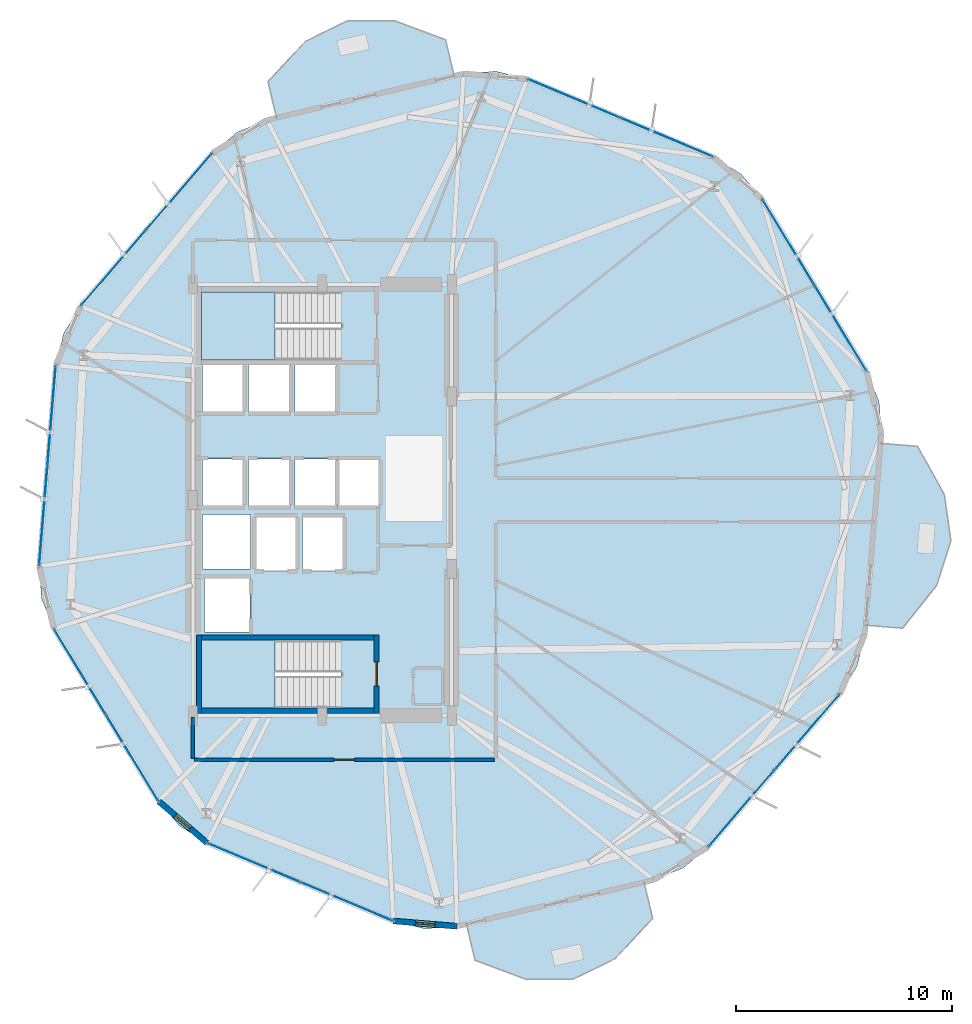
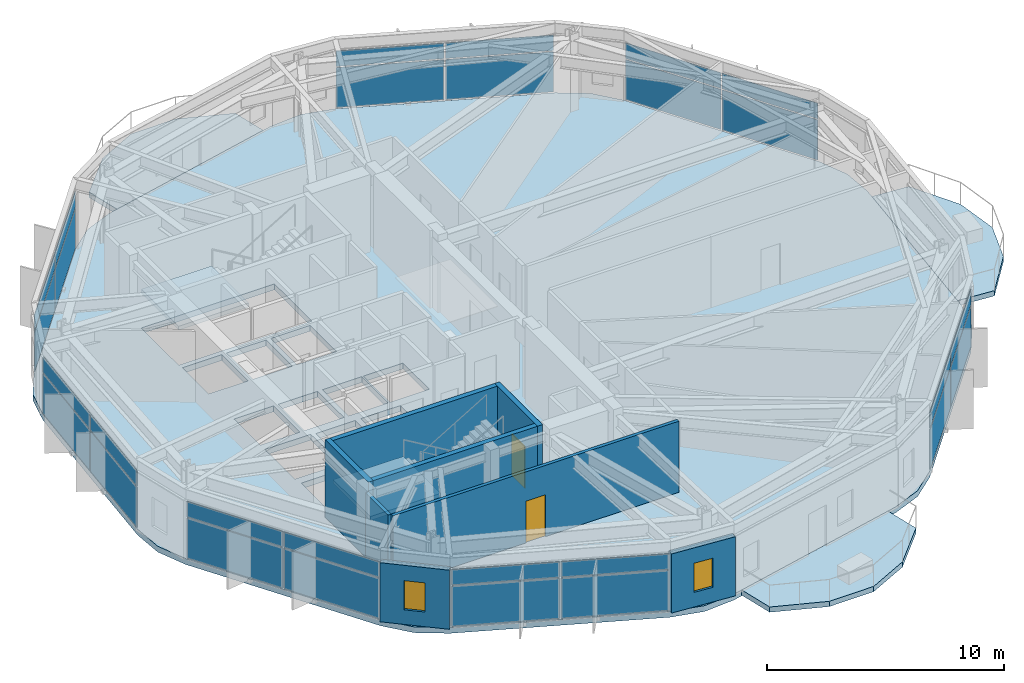
# One storey, part 15 of 21: 28 plates, 8 walls, 6 slabs, 2 doors, 2 windows, 4 openings, 9 elements without a shape of their own.
"""IFC4 building model written with IfcOpenShell, lengths in metres."""

from ifc_helpers import new_model, si_unit, direction, frame, frame_2d, origin, origin_2d, place, context, subcontext, project, spatial, polyline, rectangle, outline, extrude, material, layer, layer_set, type_object, element, fill, aggregate, save


model = new_model("IFC4")

# Units and contexts
model_context = context("Model", 3, precision=1e-05, world=origin(), true_north=direction((0.0, 1.0)))
body_context = subcontext(model_context, "Body", "Model", "MODEL_VIEW")
ifc_project = project(units=[si_unit("LENGTHUNIT", "METRE"), si_unit("AREAUNIT", "SQUARE_METRE"), si_unit("VOLUMEUNIT", "CUBIC_METRE"), si_unit("PLANEANGLEUNIT", "RADIAN"), si_unit("MASSUNIT", "GRAM", prefix="KILO")], contexts=[model_context])

# Site, building, storey
site_placement = place(None, origin())
site = spatial("IfcSite", under=ifc_project, at=site_placement, CompositionType="ELEMENT")
building_placement = place(site_placement, origin())
building = spatial("IfcBuilding", under=site, at=building_placement, Name="Soratama Intermodal Tower", CompositionType="ELEMENT")
storey_placement = place(building_placement, frame((0.0, 0.0, 78.60009765625)))
storey = spatial("IfcBuildingStorey", under=building, at=storey_placement, Name="L18", CompositionType="ELEMENT", Elevation=78.60009765625)

# Curtain wall, plates
ifc_material_1 = material(Name="Double-glazed aluminium curtain wall", Category="aluminium")
ifc_layer_1 = layer(ifc_material_1, 0.159912109375)
ifc_layer_set_1 = layer_set([ifc_layer_1], Name="Double-glazed aluminium curtain wall")
curtain_wall_type = type_object("IfcCurtainWallType", Name="CW-SYS-2", PredefinedType="NOTDEFINED", material=ifc_layer_set_1)
curtain_wall_1_placement = place(storey_placement, origin())
curtain_wall_1 = element("IfcCurtainWall", 1, at=curtain_wall_1_placement, inside=storey, type_object=curtain_wall_type, Name="L18 Faceted Curtain Wall F01", PredefinedType="NOTDEFINED")
ifc_material_2 = material(Name="Low-E laminated double glazing", Category="glass")
ifc_layer_2 = layer(ifc_material_2, 0.031982421875)
ifc_layer_set_2 = layer_set([ifc_layer_2], Name="Low-E laminated double glazing")
plate_type = type_object("IfcPlateType", Name="PT-CWP-2", PredefinedType="CURTAIN_PANEL", material=ifc_layer_set_2)
plate_1_placement = place(storey_placement, frame((62.624267578125, 32.978515625, 0.059814453125), z_axis=(0.0, 0.0, 1.0), x_axis=(-0.518923498414, 0.854820684585, 0.0)))
plate_1 = element("IfcPlate", 2, at=plate_1_placement, type_object=plate_type, Name="CW-2 panel 1.1", PredefinedType="CURTAIN_PANEL", context=body_context, shape_type="SweptSolid", body=[
    extrude(rectangle(XDim=4.5908203125, YDim=0.028076171875, at=origin_2d()), origin(), (0.0, 0.0, 1.0), 2.06005859375),
])
plate_2_placement = place(storey_placement, frame((62.624267578125, 32.978515625, 2.1796875), z_axis=(0.0, 0.0, 1.0), x_axis=(-0.518923498414, 0.854820684585, 0.0)))
plate_2 = element("IfcPlate", 3, at=plate_2_placement, type_object=plate_type, Name="CW-2 panel 1.2", PredefinedType="CURTAIN_PANEL", context=body_context, shape_type="SweptSolid", body=[
    extrude(rectangle(XDim=4.5908203125, YDim=0.028076171875, at=origin_2d()), origin(), (0.0, 0.0, 1.0), 0.799072265625),
])
plate_3_placement = place(storey_placement, frame((60.2109375, 36.9541015625, 0.059814453125), z_axis=(0.0, 0.0, 1.0), x_axis=(-0.518923498414, 0.854820684585, 0.0)))
plate_3 = element("IfcPlate", 4, at=plate_3_placement, type_object=plate_type, Name="CW-2 panel 2.1", PredefinedType="CURTAIN_PANEL", context=body_context, shape_type="SweptSolid", body=[
    extrude(rectangle(XDim=4.5908203125, YDim=0.028076171875, at=origin_2d()), origin(), (0.0, 0.0, 1.0), 2.06005859375),
])
plate_4_placement = place(storey_placement, frame((60.2109375, 36.9541015625, 2.1796875), z_axis=(0.0, 0.0, 1.0), x_axis=(-0.518923498414, 0.854820684585, 0.0)))
plate_4 = element("IfcPlate", 5, at=plate_4_placement, type_object=plate_type, Name="CW-2 panel 2.2", PredefinedType="CURTAIN_PANEL", context=body_context, shape_type="SweptSolid", body=[
    extrude(rectangle(XDim=4.5908203125, YDim=0.028076171875, at=origin_2d()), origin(), (0.0, 0.0, 1.0), 0.799072265625),
])
aggregate(curtain_wall_1, [plate_1, plate_2, plate_3, plate_4])

curtain_wall_2_placement = place(storey_placement, origin())
curtain_wall_2 = element("IfcCurtainWall", 6, at=curtain_wall_2_placement, inside=storey, type_object=curtain_wall_type, Name="L18 Faceted Curtain Wall F02", PredefinedType="NOTDEFINED")
plate_5_placement = place(storey_placement, frame((54.568603515625, 41.81396484375, 0.059814453125), z_axis=(0.0, 0.0, 1.0), x_axis=(-0.922267731134, 0.386551719837, 0.0)))
plate_5 = element("IfcPlate", 7, at=plate_5_placement, type_object=plate_type, Name="CW-2 panel 1.1", PredefinedType="CURTAIN_PANEL", context=body_context, shape_type="SweptSolid", body=[
    extrude(rectangle(XDim=4.5908203125, YDim=0.028076171875, at=origin_2d()), origin(), (0.0, 0.0, 1.0), 2.06005859375),
])
plate_6_placement = place(storey_placement, frame((54.568603515625, 41.81396484375, 2.1796875), z_axis=(0.0, 0.0, 1.0), x_axis=(-0.922267731134, 0.386551719837, 0.0)))
plate_6 = element("IfcPlate", 8, at=plate_6_placement, type_object=plate_type, Name="CW-2 panel 1.2", PredefinedType="CURTAIN_PANEL", context=body_context, shape_type="SweptSolid", body=[
    extrude(rectangle(XDim=4.5908203125, YDim=0.028076171875, at=origin_2d()), origin(), (0.0, 0.0, 1.0), 0.799072265625),
])
plate_7_placement = place(storey_placement, frame((50.279296875, 43.61181640625, 0.059814453125), z_axis=(0.0, 0.0, 1.0), x_axis=(-0.922267731134, 0.386551719837, 0.0)))
plate_7 = element("IfcPlate", 9, at=plate_7_placement, type_object=plate_type, Name="CW-2 panel 2.1", PredefinedType="CURTAIN_PANEL", context=body_context, shape_type="SweptSolid", body=[
    extrude(rectangle(XDim=4.5908203125, YDim=0.028076171875, at=origin_2d()), origin(), (0.0, 0.0, 1.0), 2.06005859375),
])
plate_8_placement = place(storey_placement, frame((50.279296875, 43.61181640625, 2.1796875), z_axis=(0.0, 0.0, 1.0), x_axis=(-0.922267731134, 0.386551719837, 0.0)))
plate_8 = element("IfcPlate", 10, at=plate_8_placement, type_object=plate_type, Name="CW-2 panel 2.2", PredefinedType="CURTAIN_PANEL", context=body_context, shape_type="SweptSolid", body=[
    extrude(rectangle(XDim=4.5908203125, YDim=0.028076171875, at=origin_2d()), origin(), (0.0, 0.0, 1.0), 0.799072265625),
])
aggregate(curtain_wall_2, [plate_5, plate_6, plate_7, plate_8])

curtain_wall_3_placement = place(storey_placement, origin())
curtain_wall_3 = element("IfcCurtainWall", 11, at=curtain_wall_3_placement, inside=storey, type_object=curtain_wall_type, Name="L18 Faceted Curtain Wall F04", PredefinedType="NOTDEFINED")
plate_9_placement = place(storey_placement, frame((31.9658203125, 39.296142578125, 0.059814453125), z_axis=(0.0, 0.0, 1.0), x_axis=(-0.652628938142, -0.757677681537, 0.0)))
plate_9 = element("IfcPlate", 12, at=plate_9_placement, type_object=plate_type, Name="CW-2 panel 1.1", PredefinedType="CURTAIN_PANEL", context=body_context, shape_type="SweptSolid", body=[
    extrude(rectangle(XDim=4.590576171875, YDim=0.028076171875, at=origin_2d()), origin(), (0.0, 0.0, 1.0), 2.06005859375),
])
plate_10_placement = place(storey_placement, frame((31.9658203125, 39.296142578125, 2.1796875), z_axis=(0.0, 0.0, 1.0), x_axis=(-0.652628938142, -0.757677681537, 0.0)))
plate_10 = element("IfcPlate", 13, at=plate_10_placement, type_object=plate_type, Name="CW-2 panel 1.2", PredefinedType="CURTAIN_PANEL", context=body_context, shape_type="SweptSolid", body=[
    extrude(rectangle(XDim=4.590576171875, YDim=0.028076171875, at=origin_2d()), origin(), (0.0, 0.0, 1.0), 0.799072265625),
])
plate_11_placement = place(storey_placement, frame((28.9306640625, 35.7724609375, 0.059814453125), z_axis=(0.0, 0.0, 1.0), x_axis=(-0.652628938142, -0.757677681537, 0.0)))
plate_11 = element("IfcPlate", 14, at=plate_11_placement, type_object=plate_type, Name="CW-2 panel 2.1", PredefinedType="CURTAIN_PANEL", context=body_context, shape_type="SweptSolid", body=[
    extrude(rectangle(XDim=4.590576171875, YDim=0.028076171875, at=origin_2d()), origin(), (0.0, 0.0, 1.0), 2.06005859375),
])
plate_12_placement = place(storey_placement, frame((28.9306640625, 35.7724609375, 2.1796875), z_axis=(0.0, 0.0, 1.0), x_axis=(-0.652628938142, -0.757677681537, 0.0)))
plate_12 = element("IfcPlate", 15, at=plate_12_placement, type_object=plate_type, Name="CW-2 panel 2.2", PredefinedType="CURTAIN_PANEL", context=body_context, shape_type="SweptSolid", body=[
    extrude(rectangle(XDim=4.590576171875, YDim=0.028076171875, at=origin_2d()), origin(), (0.0, 0.0, 1.0), 0.799072265625),
])
aggregate(curtain_wall_3, [plate_9, plate_10, plate_11, plate_12])

curtain_wall_4_placement = place(storey_placement, origin())
curtain_wall_4 = element("IfcCurtainWall", 16, at=curtain_wall_4_placement, inside=storey, type_object=curtain_wall_type, Name="L18 Faceted Curtain Wall F05", PredefinedType="NOTDEFINED")
plate_13_placement = place(storey_placement, frame((26.052001953125, 28.904541015625, 0.059814453125), z_axis=(0.0, 0.0, 1.0), x_axis=(-0.082625557919, -0.996580662655, 0.0)))
plate_13 = element("IfcPlate", 17, at=plate_13_placement, type_object=plate_type, Name="CW-2 panel 1.1", PredefinedType="CURTAIN_PANEL", context=body_context, shape_type="SweptSolid", body=[
    extrude(rectangle(XDim=4.5908203125, YDim=0.028076171875, at=origin_2d()), origin(), (0.0, 0.0, 1.0), 2.06005859375),
])
plate_14_placement = place(storey_placement, frame((26.052001953125, 28.904541015625, 2.1796875), z_axis=(0.0, 0.0, 1.0), x_axis=(-0.082625557919, -0.996580662655, 0.0)))
plate_14 = element("IfcPlate", 18, at=plate_14_placement, type_object=plate_type, Name="CW-2 panel 1.2", PredefinedType="CURTAIN_PANEL", context=body_context, shape_type="SweptSolid", body=[
    extrude(rectangle(XDim=4.5908203125, YDim=0.028076171875, at=origin_2d()), origin(), (0.0, 0.0, 1.0), 0.799072265625),
])
plate_15_placement = place(storey_placement, frame((25.667724609375, 24.26953125, 0.059814453125), z_axis=(0.0, 0.0, 1.0), x_axis=(-0.082625557919, -0.996580662655, 0.0)))
plate_15 = element("IfcPlate", 19, at=plate_15_placement, type_object=plate_type, Name="CW-2 panel 2.1", PredefinedType="CURTAIN_PANEL", context=body_context, shape_type="SweptSolid", body=[
    extrude(rectangle(XDim=4.5908203125, YDim=0.028076171875, at=origin_2d()), origin(), (0.0, 0.0, 1.0), 2.06005859375),
])
plate_16_placement = place(storey_placement, frame((25.667724609375, 24.26953125, 2.1796875), z_axis=(0.0, 0.0, 1.0), x_axis=(-0.082625557919, -0.996580662655, 0.0)))
plate_16 = element("IfcPlate", 20, at=plate_16_placement, type_object=plate_type, Name="CW-2 panel 2.2", PredefinedType="CURTAIN_PANEL", context=body_context, shape_type="SweptSolid", body=[
    extrude(rectangle(XDim=4.5908203125, YDim=0.028076171875, at=origin_2d()), origin(), (0.0, 0.0, 1.0), 0.799072265625),
])
aggregate(curtain_wall_4, [plate_13, plate_14, plate_15, plate_16])

curtain_wall_5_placement = place(storey_placement, origin())
curtain_wall_5 = element("IfcCurtainWall", 21, at=curtain_wall_5_placement, inside=storey, type_object=curtain_wall_type, Name="L18 Faceted Curtain Wall F06", PredefinedType="NOTDEFINED")
plate_17_placement = place(storey_placement, frame((27.375732421875, 17.021484375, 0.059814453125), z_axis=(0.0, 0.0, 1.0), x_axis=(0.518923498414, -0.854820684585, 0.0)))
plate_17 = element("IfcPlate", 22, at=plate_17_placement, type_object=plate_type, Name="CW-2 panel 1.1", PredefinedType="CURTAIN_PANEL", context=body_context, shape_type="SweptSolid", body=[
    extrude(rectangle(XDim=4.5908203125, YDim=0.028076171875, at=origin_2d()), origin(), (0.0, 0.0, 1.0), 2.06005859375),
])
plate_18_placement = place(storey_placement, frame((27.375732421875, 17.021484375, 2.1796875), z_axis=(0.0, 0.0, 1.0), x_axis=(0.518923498414, -0.854820684585, 0.0)))
plate_18 = element("IfcPlate", 23, at=plate_18_placement, type_object=plate_type, Name="CW-2 panel 1.2", PredefinedType="CURTAIN_PANEL", context=body_context, shape_type="SweptSolid", body=[
    extrude(rectangle(XDim=4.5908203125, YDim=0.028076171875, at=origin_2d()), origin(), (0.0, 0.0, 1.0), 0.799072265625),
])
plate_19_placement = place(storey_placement, frame((29.7890625, 13.0458984375, 0.059814453125), z_axis=(0.0, 0.0, 1.0), x_axis=(0.518923498414, -0.854820684585, 0.0)))
plate_19 = element("IfcPlate", 24, at=plate_19_placement, type_object=plate_type, Name="CW-2 panel 2.1", PredefinedType="CURTAIN_PANEL", context=body_context, shape_type="SweptSolid", body=[
    extrude(rectangle(XDim=4.5908203125, YDim=0.028076171875, at=origin_2d()), origin(), (0.0, 0.0, 1.0), 2.06005859375),
])
plate_20_placement = place(storey_placement, frame((29.7890625, 13.0458984375, 2.1796875), z_axis=(0.0, 0.0, 1.0), x_axis=(0.518923498414, -0.854820684585, 0.0)))
plate_20 = element("IfcPlate", 25, at=plate_20_placement, type_object=plate_type, Name="CW-2 panel 2.2", PredefinedType="CURTAIN_PANEL", context=body_context, shape_type="SweptSolid", body=[
    extrude(rectangle(XDim=4.5908203125, YDim=0.028076171875, at=origin_2d()), origin(), (0.0, 0.0, 1.0), 0.799072265625),
])
aggregate(curtain_wall_5, [plate_17, plate_18, plate_19, plate_20])

curtain_wall_6_placement = place(storey_placement, origin())
curtain_wall_6 = element("IfcCurtainWall", 26, at=curtain_wall_6_placement, inside=storey, type_object=curtain_wall_type, Name="L18 Faceted Curtain Wall F07", PredefinedType="NOTDEFINED")
plate_21_placement = place(storey_placement, frame((35.431396484375, 8.18603515625, 0.059814453125), z_axis=(0.0, 0.0, 1.0), x_axis=(0.922267731134, -0.386551719837, 0.0)))
plate_21 = element("IfcPlate", 27, at=plate_21_placement, type_object=plate_type, Name="CW-2 panel 1.1", PredefinedType="CURTAIN_PANEL", context=body_context, shape_type="SweptSolid", body=[
    extrude(rectangle(XDim=4.5908203125, YDim=0.028076171875, at=origin_2d()), origin(), (0.0, 0.0, 1.0), 2.06005859375),
])
plate_22_placement = place(storey_placement, frame((35.431396484375, 8.18603515625, 2.1796875), z_axis=(0.0, 0.0, 1.0), x_axis=(0.922267731134, -0.386551719837, 0.0)))
plate_22 = element("IfcPlate", 28, at=plate_22_placement, type_object=plate_type, Name="CW-2 panel 1.2", PredefinedType="CURTAIN_PANEL", context=body_context, shape_type="SweptSolid", body=[
    extrude(rectangle(XDim=4.5908203125, YDim=0.028076171875, at=origin_2d()), origin(), (0.0, 0.0, 1.0), 0.799072265625),
])
plate_23_placement = place(storey_placement, frame((39.720703125, 6.38818359375, 0.059814453125), z_axis=(0.0, 0.0, 1.0), x_axis=(0.922267731134, -0.386551719837, 0.0)))
plate_23 = element("IfcPlate", 29, at=plate_23_placement, type_object=plate_type, Name="CW-2 panel 2.1", PredefinedType="CURTAIN_PANEL", context=body_context, shape_type="SweptSolid", body=[
    extrude(rectangle(XDim=4.5908203125, YDim=0.028076171875, at=origin_2d()), origin(), (0.0, 0.0, 1.0), 2.06005859375),
])
plate_24_placement = place(storey_placement, frame((39.720703125, 6.38818359375, 2.1796875), z_axis=(0.0, 0.0, 1.0), x_axis=(0.922267731134, -0.386551719837, 0.0)))
plate_24 = element("IfcPlate", 30, at=plate_24_placement, type_object=plate_type, Name="CW-2 panel 2.2", PredefinedType="CURTAIN_PANEL", context=body_context, shape_type="SweptSolid", body=[
    extrude(rectangle(XDim=4.5908203125, YDim=0.028076171875, at=origin_2d()), origin(), (0.0, 0.0, 1.0), 0.799072265625),
])
aggregate(curtain_wall_6, [plate_21, plate_22, plate_23, plate_24])

curtain_wall_7_placement = place(storey_placement, origin())
curtain_wall_7 = element("IfcCurtainWall", 31, at=curtain_wall_7_placement, inside=storey, type_object=curtain_wall_type, Name="L18 Faceted Curtain Wall F09", PredefinedType="NOTDEFINED")
plate_25_placement = place(storey_placement, frame((58.0341796875, 10.703857421875, 0.059814453125), z_axis=(0.0, 0.0, 1.0), x_axis=(0.652628938142, 0.757677681537, 0.0)))
plate_25 = element("IfcPlate", 32, at=plate_25_placement, type_object=plate_type, Name="CW-2 panel 1.1", PredefinedType="CURTAIN_PANEL", context=body_context, shape_type="SweptSolid", body=[
    extrude(rectangle(XDim=4.590576171875, YDim=0.028076171875, at=origin_2d()), origin(), (0.0, 0.0, 1.0), 2.06005859375),
])
plate_26_placement = place(storey_placement, frame((58.0341796875, 10.703857421875, 2.1796875), z_axis=(0.0, 0.0, 1.0), x_axis=(0.652628938142, 0.757677681537, 0.0)))
plate_26 = element("IfcPlate", 33, at=plate_26_placement, type_object=plate_type, Name="CW-2 panel 1.2", PredefinedType="CURTAIN_PANEL", context=body_context, shape_type="SweptSolid", body=[
    extrude(rectangle(XDim=4.590576171875, YDim=0.028076171875, at=origin_2d()), origin(), (0.0, 0.0, 1.0), 0.799072265625),
])
plate_27_placement = place(storey_placement, frame((61.0693359375, 14.2275390625, 0.059814453125), z_axis=(0.0, 0.0, 1.0), x_axis=(0.652628938142, 0.757677681537, 0.0)))
plate_27 = element("IfcPlate", 34, at=plate_27_placement, type_object=plate_type, Name="CW-2 panel 2.1", PredefinedType="CURTAIN_PANEL", context=body_context, shape_type="SweptSolid", body=[
    extrude(rectangle(XDim=4.590576171875, YDim=0.028076171875, at=origin_2d()), origin(), (0.0, 0.0, 1.0), 2.06005859375),
])
plate_28_placement = place(storey_placement, frame((61.0693359375, 14.2275390625, 2.1796875), z_axis=(0.0, 0.0, 1.0), x_axis=(0.652628938142, 0.757677681537, 0.0)))
plate_28 = element("IfcPlate", 35, at=plate_28_placement, type_object=plate_type, Name="CW-2 panel 2.2", PredefinedType="CURTAIN_PANEL", context=body_context, shape_type="SweptSolid", body=[
    extrude(rectangle(XDim=4.590576171875, YDim=0.028076171875, at=origin_2d()), origin(), (0.0, 0.0, 1.0), 0.799072265625),
])
aggregate(curtain_wall_7, [plate_25, plate_26, plate_27, plate_28])

# Slabs
ifc_material_3 = material(Name="Concrete f'c 42 MPa", Category="concrete")
ifc_layer_3 = layer(ifc_material_3, 0.27001953125)
ifc_layer_set_3 = layer_set([ifc_layer_3], Name="Concrete f'c 42 MPa")
slab_type_1 = type_object("IfcSlabType", Name="SL-EXT-BAL1", PredefinedType="FLOOR", material=ifc_layer_set_3)
slab_1_placement = place(storey_placement, frame((0.0, 0.0, -0.27001953125)))
element("IfcSlab", 36, at=slab_1_placement, inside=storey, type_object=slab_type_1, Name="L18 Planted Balcony East 1", PredefinedType="FLOOR", context=body_context, shape_type="SweptSolid", body=[
    extrude(outline(polyline([(63.79052734375, 19.19677734375), (64.48974609375, 27.629150390625), (66.203857421875, 27.487060546875), (67.439453125, 25.261962890625), (67.747802734375, 23.11376953125), (67.08984375, 21.0458984375), (65.504638671875, 19.054443359375), (63.79052734375, 19.19677734375)])), origin(), (0.0, 0.0, 1.0), 0.27001953125),
])
slab_2_placement = place(storey_placement, frame((0.0, 0.0, -0.27001953125)))
element("IfcSlab", 37, at=slab_2_placement, inside=storey, type_object=slab_type_1, Name="L18 Planted Balcony North 2", PredefinedType="FLOOR", context=body_context, shape_type="SweptSolid", body=[
    extrude(outline(polyline([(44.712646484375, 44.664306640625), (36.476806640625, 42.723388671875), (36.082275390625, 44.397705078125), (37.816650390625, 46.26025390625), (39.764404296875, 47.21728515625), (41.9345703125, 47.230712890625), (44.318115234375, 46.33837890625), (44.712646484375, 44.664306640625)])), origin(), (0.0, 0.0, 1.0), 0.27001953125),
])
slab_3_placement = place(storey_placement, frame((0.0, 0.0, -0.27001953125)))
element("IfcSlab", 38, at=slab_3_placement, inside=storey, type_object=slab_type_1, Name="L18 Planted Balcony South 3", PredefinedType="FLOOR", context=body_context, shape_type="SweptSolid", body=[
    extrude(outline(polyline([(45.287353515625, 5.335693359375), (53.523193359375, 7.276611328125), (53.917724609375, 5.602294921875), (52.183349609375, 3.73974609375), (50.235595703125, 2.78271484375), (48.0654296875, 2.769287109375), (45.681884765625, 3.66162109375), (45.287353515625, 5.335693359375)])), origin(), (0.0, 0.0, 1.0), 0.27001953125),
])

# Stair, slab
ifc_material_4 = material(Name="Concrete f'c 42 MPa", Category="concrete")
stair_type = type_object("IfcStairType", Name="ST-CORE-DOGLEG", PredefinedType="HALF_TURN_STAIR", material=ifc_material_4)
stair_1_placement = place(storey_placement, origin())
stair_1 = element("IfcStair", 39, at=stair_1_placement, inside=storey, type_object=stair_type, Name="L18 ST-1", PredefinedType="HALF_TURN_STAIR")
ifc_material_5 = material(Name="Concrete f'c 42 MPa", Category="concrete")
ifc_layer_4 = layer(ifc_material_5, 0.219970703125)
ifc_layer_set_4 = layer_set([ifc_layer_4], Name="Concrete f'c 42 MPa")
slab_type_2 = type_object("IfcSlabType", Name="SL-STAIR-LAND", PredefinedType="LANDING", material=ifc_layer_set_4)
slab_4_placement = place(storey_placement, frame((0.0, 0.0, 1.7998046875)))
slab_4 = element("IfcSlab", 40, at=slab_4_placement, type_object=slab_type_2, Name="ST-1 landing 1", PredefinedType="LANDING", context=body_context, shape_type="SweptSolid", body=[
    extrude(outline(polyline([(36.419921875, 18.5), (33.0, 18.5), (33.0, 15.35009765625), (36.419921875, 15.35009765625), (36.419921875, 18.5)])), origin(), (0.0, 0.0, 1.0), 0.2001953125),
])
aggregate(stair_1, [slab_4])

stair_2_placement = place(storey_placement, origin())
stair_2 = element("IfcStair", 41, at=stair_2_placement, inside=storey, type_object=stair_type, Name="L18 ST-2", PredefinedType="HALF_TURN_STAIR")
slab_5_placement = place(storey_placement, frame((0.0, 0.0, 1.7998046875)))
slab_5 = element("IfcSlab", 42, at=slab_5_placement, type_object=slab_type_2, Name="ST-2 landing 1", PredefinedType="LANDING", context=body_context, shape_type="SweptSolid", body=[
    extrude(outline(polyline([(36.419921875, 34.64990234375), (33.0, 34.64990234375), (33.0, 31.5), (36.419921875, 31.5), (36.419921875, 34.64990234375)])), origin(), (0.0, 0.0, 1.0), 0.2001953125),
])
aggregate(stair_2, [slab_5])

# Slab
ifc_material_6 = material(Name="Concrete f'c 42 MPa", Category="concrete")
ifc_layer_5 = layer(ifc_material_6, 0.280029296875)
ifc_layer_set_5 = layer_set([ifc_layer_5], Name="Concrete f'c 42 MPa")
slab_type_3 = type_object("IfcSlabType", Name="SL-TWR-280", PredefinedType="FLOOR", material=ifc_layer_set_5)
slab_6_placement = place(storey_placement, frame((0.0, 0.0, -0.300048828125)))
element("IfcSlab", 43, at=slab_6_placement, inside=storey, type_object=slab_type_3, Name="L18 Structural Floor Slab", PredefinedType="FLOOR", context=body_context, shape_type="SweptSolid", body=[
    extrude(outline(polyline([(64.52685546875, 28.07763671875), (64.415283203125, 29.5751953125), (63.846435546875, 30.965087890625), (58.988525390625, 38.967529296875), (58.01806640625, 40.113525390625), (56.740966796875, 40.903564453125), (48.107177734375, 44.522216796875), (46.648193359375, 44.87890625), (45.150634765625, 44.767333984375), (36.038818359375, 42.6201171875), (34.64892578125, 42.05126953125), (33.5029296875, 41.080810546875), (27.393310546875, 33.98779296875), (26.603271484375, 32.710693359375), (26.24658203125, 31.251708984375), (25.47314453125, 21.92236328125), (25.584716796875, 20.4248046875), (26.153564453125, 19.034912109375), (31.011474609375, 11.032470703125), (31.98193359375, 9.886474609375), (33.259033203125, 9.096435546875), (41.892822265625, 5.477783203125), (43.351806640625, 5.12109375), (44.849365234375, 5.232666015625), (53.961181640625, 7.3798828125), (55.35107421875, 7.94873046875), (56.4970703125, 8.919189453125), (62.606689453125, 16.01220703125), (63.396728515625, 17.289306640625), (63.75341796875, 18.748291015625), (64.52685546875, 28.07763671875)]), holes=[polyline([(33.0, 18.5), (33.0, 15.35009765625), (39.47509765625, 15.35009765625), (39.47509765625, 18.5), (33.0, 18.5)]), polyline([(35.260009765625, 18.889892578125), (35.260009765625, 21.409912109375), (33.139892578125, 21.409912109375), (33.139892578125, 18.889892578125), (35.260009765625, 18.889892578125)]), polyline([(33.050048828125, 21.800048828125), (35.280029296875, 21.800048828125), (35.280029296875, 24.320068359375), (33.050048828125, 24.320068359375), (33.050048828125, 21.800048828125)]), polyline([(34.9599609375, 26.909912109375), (33.0400390625, 26.909912109375), (33.0400390625, 24.68994140625), (34.9599609375, 24.68994140625), (34.9599609375, 26.909912109375)]), polyline([(37.110107421875, 24.68994140625), (37.110107421875, 26.909912109375), (35.18994140625, 26.909912109375), (35.18994140625, 24.68994140625), (37.110107421875, 24.68994140625)]), polyline([(34.9599609375, 29.0400390625), (34.9599609375, 31.260009765625), (33.0400390625, 31.260009765625), (33.0400390625, 29.0400390625), (34.9599609375, 29.0400390625)]), polyline([(37.110107421875, 31.260009765625), (35.18994140625, 31.260009765625), (35.18994140625, 29.0400390625), (37.110107421875, 29.0400390625), (37.110107421875, 31.260009765625)]), polyline([(37.409912109375, 21.739990234375), (37.409912109375, 24.260009765625), (35.489990234375, 24.260009765625), (35.489990234375, 21.739990234375), (37.409912109375, 21.739990234375)]), polyline([(39.610107421875, 21.739990234375), (39.610107421875, 24.260009765625), (37.68994140625, 24.260009765625), (37.68994140625, 21.739990234375), (39.610107421875, 21.739990234375)]), polyline([(39.260009765625, 24.68994140625), (39.260009765625, 26.909912109375), (37.340087890625, 26.909912109375), (37.340087890625, 24.68994140625), (39.260009765625, 24.68994140625)]), polyline([(41.260009765625, 24.68994140625), (41.260009765625, 26.909912109375), (39.340087890625, 26.909912109375), (39.340087890625, 24.68994140625), (41.260009765625, 24.68994140625)]), polyline([(39.260009765625, 29.0400390625), (39.260009765625, 31.260009765625), (37.340087890625, 31.260009765625), (37.340087890625, 29.0400390625), (39.260009765625, 29.0400390625)]), polyline([(39.47509765625, 34.64990234375), (33.0, 34.64990234375), (33.0, 31.5), (39.47509765625, 31.5), (39.47509765625, 34.64990234375)])]), origin(), (0.0, 0.0, 1.0), 0.300048828125),
])

# Wall, opening, window
ifc_material_7 = material(Name="Concrete f'c 42 MPa", Category="concrete")
ifc_layer_6 = layer(ifc_material_7, 0.27001953125)
ifc_layer_set_6 = layer_set([ifc_layer_6], Name="Concrete f'c 42 MPa")
wall_type_1 = type_object("IfcWallType", Name="EW-CRN-270", PredefinedType="SOLIDWALL", material=ifc_layer_set_6)
wall_1_placement = place(storey_placement, frame((31.011474609375, 11.032470703125, 0.0), z_axis=(0.0, 0.0, 1.0), x_axis=(0.757662534015, -0.652646523434, 0.0)))
wall_1 = element("IfcWall", 44, at=wall_1_placement, inside=storey, type_object=wall_type_1, Name="L18 Corner Closure Wall 06", PredefinedType="SOLIDWALL", context=body_context, shape_type="SweptSolid", body=[
    extrude(rectangle(XDim=2.966552734375, YDim=0.27001953125, at=frame_2d((1.4833984375, 0.0))), origin(), (0.0, 0.0, 1.0), 3.038818359375),
])
opening_1_placement = place(wall_1_placement, frame((1.033203125, 0.0, 0.75)))
opening_1 = element("IfcOpeningElement", 45, at=opening_1_placement, cuts=wall_1, Name="Opening WN-6", PredefinedType="OPENING", context=body_context, shape_type="SweptSolid", body=[
    extrude(rectangle(XDim=0.89990234375, YDim=1.5, at=frame_2d((0.449951171875, 0.75))), frame((0.0, 0.14501953125, 0.0), z_axis=(0.0, -1.0, 0.0), x_axis=(1.0, 0.0, 0.0)), (0.0, 0.0, 1.0), 0.2900390625),
])
ifc_material_8 = material(Name="Double-glazed aluminium window", Category="aluminium")
window_type = type_object("IfcWindowType", Name="WN-FAC-900", PartitioningType="SINGLE_PANEL", PredefinedType="WINDOW", material=ifc_material_8)
window_1_placement = place(opening_1_placement, origin())
window_1 = element("IfcWindow", 46, at=window_1_placement, inside=storey, type_object=window_type, Name="L18 Corner Window 06", OverallHeight=1.5, OverallWidth=0.89990234375, PartitioningType="SINGLE_PANEL", PredefinedType="WINDOW", context=body_context, shape_type="SweptSolid", body=[
    extrude(rectangle(XDim=0.89990234375, YDim=1.5, at=frame_2d((0.449951171875, 0.75))), frame((0.0, 0.030029296875, 0.0), z_axis=(0.0, -1.0, 0.0), x_axis=(1.0, 0.0, 0.0)), (0.0, 0.0, 1.0), 0.06005859375),
])
fill(opening_1, window_1)

wall_2_placement = place(storey_placement, frame((41.892822265625, 5.477783203125, 0.0), z_axis=(0.0, 0.0, 1.0), x_axis=(0.996580856584, -0.082623218828, 0.0)))
wall_2 = element("IfcWall", 47, at=wall_2_placement, inside=storey, type_object=wall_type_1, Name="L18 Corner Closure Wall 07", PredefinedType="SOLIDWALL", context=body_context, shape_type="SweptSolid", body=[
    extrude(rectangle(XDim=2.966796875, YDim=0.27001953125, at=frame_2d((1.4833984375, 0.0))), origin(), (0.0, 0.0, 1.0), 3.038818359375),
])
opening_2_placement = place(wall_2_placement, frame((1.033203125, 0.0, 0.75)))
opening_2 = element("IfcOpeningElement", 48, at=opening_2_placement, cuts=wall_2, Name="Opening WN-6", PredefinedType="OPENING", context=body_context, shape_type="SweptSolid", body=[
    extrude(rectangle(XDim=0.89990234375, YDim=1.5, at=frame_2d((0.449951171875, 0.75))), frame((0.0, 0.14501953125, 0.0), z_axis=(0.0, -1.0, 0.0), x_axis=(1.0, 0.0, 0.0)), (0.0, 0.0, 1.0), 0.2900390625),
])
window_2_placement = place(opening_2_placement, origin())
window_2 = element("IfcWindow", 49, at=window_2_placement, inside=storey, type_object=window_type, Name="L18 Corner Window 07", OverallHeight=1.5, OverallWidth=0.89990234375, PartitioningType="SINGLE_PANEL", PredefinedType="WINDOW", context=body_context, shape_type="SweptSolid", body=[
    extrude(rectangle(XDim=0.89990234375, YDim=1.5, at=frame_2d((0.449951171875, 0.75))), frame((0.0, 0.030029296875, 0.0), z_axis=(0.0, -1.0, 0.0), x_axis=(1.0, 0.0, 0.0)), (0.0, 0.0, 1.0), 0.06005859375),
])
fill(opening_2, window_2)

# Wall, opening, door
ifc_material_9 = material(Name="Fire-rated gypsum stud partition", Category="concrete")
ifc_layer_7 = layer(ifc_material_9, 0.159912109375)
ifc_layer_set_7 = layer_set([ifc_layer_7], Name="Fire-rated gypsum stud partition")
wall_type_2 = type_object("IfcWallType", Name="IW-PART-R160", PredefinedType="PARTITIONING", material=ifc_layer_set_7)
wall_3_placement = place(storey_placement, frame((46.580078125, 12.949951171875, 0.0), z_axis=(0.0, 0.0, 1.0), x_axis=(-1.0, 0.0, 0.0)))
wall_3 = element("IfcWall", 50, at=wall_3_placement, inside=storey, type_object=wall_type_2, Name="L18 Partition W-L18-TP007", PredefinedType="PARTITIONING", context=body_context, shape_type="SweptSolid", body=[
    extrude(rectangle(XDim=13.91015625, YDim=0.159912109375, at=frame_2d((6.955078125, 0.0))), origin(), (0.0, 0.0, 1.0), 3.659912109375),
])
opening_3_placement = place(wall_3_placement, frame((6.47998046875, 0.0, 0.0)))
opening_3 = element("IfcOpeningElement", 51, at=opening_3_placement, cuts=wall_3, Name="Opening ID-3", PredefinedType="OPENING", context=body_context, shape_type="SweptSolid", body=[
    extrude(rectangle(XDim=0.949951171875, YDim=2.14990234375, at=frame_2d((0.47509765625, 1.074951171875))), frame((0.0, 0.08984375, 0.0), z_axis=(0.0, -1.0, 0.0), x_axis=(1.0, 0.0, 0.0)), (0.0, 0.0, 1.0), 0.179931640625),
])
ifc_material_10 = material(Name="Solid hardwood acoustic door", Category="wood")
door_type_1 = type_object("IfcDoorType", Name="DR-ROOM-950", OperationType="NOTDEFINED", PredefinedType="DOOR", material=ifc_material_10)
door_1_placement = place(opening_3_placement, origin())
door_1 = element("IfcDoor", 52, at=door_1_placement, inside=storey, type_object=door_type_1, Name="L18 Door D-L18-TP002", OperationType="SINGLE_SWING_LEFT", OverallHeight=2.14990234375, OverallWidth=0.949951171875, PredefinedType="DOOR", context=body_context, shape_type="SweptSolid", body=[
    extrude(rectangle(XDim=0.949951171875, YDim=2.14990234375, at=frame_2d((0.47509765625, 1.074951171875))), frame((0.0, 0.02490234375, 0.0), z_axis=(0.0, -1.0, 0.0), x_axis=(1.0, 0.0, 0.0)), (0.0, 0.0, 1.0), 0.050048828125),
])
fill(opening_3, door_1)

# Walls
wall_4_placement = place(storey_placement, frame((32.60009765625, 13.02001953125, 0.0), z_axis=(0.0, 0.0, 1.0), x_axis=(0.0, 1.0, 0.0)))
element("IfcWall", 53, at=wall_4_placement, inside=storey, type_object=wall_type_2, Name="L18 Partition W-L18-TP026", PredefinedType="PARTITIONING", context=body_context, shape_type="SweptSolid", body=[
    extrude(rectangle(XDim=1.909912109375, YDim=0.159912109375, at=frame_2d((0.955078125, 0.0))), origin(), (0.0, 0.0, 1.0), 3.659912109375),
])
ifc_material_11 = material(Name="Concrete f'c 56 MPa", Category="concrete")
ifc_layer_8 = layer(ifc_material_11, 0.239990234375)
ifc_layer_set_8 = layer_set([ifc_layer_8], Name="Concrete f'c 56 MPa")
wall_type_3 = type_object("IfcWallType", Name="SW-STAIR-240", PredefinedType="SHEAR", material=ifc_layer_set_8)
wall_5_placement = place(storey_placement, frame((32.8798828125, 15.110107421875, 0.0), z_axis=(0.0, 0.0, 1.0), x_axis=(0.0, 1.0, 0.0)))
element("IfcWall", 54, at=wall_5_placement, inside=storey, type_object=wall_type_3, Name="L18 ST-1 Shaft Shear Wall W", PredefinedType="SHEAR", context=body_context, shape_type="SweptSolid", body=[
    extrude(rectangle(XDim=3.6298828125, YDim=0.239990234375, at=frame_2d((1.81494140625, 0.0))), origin(), (0.0, 0.0, 1.0), 4.0),
])

# Wall, opening, door
wall_6_placement = place(storey_placement, frame((41.1201171875, 15.110107421875, 0.0), z_axis=(0.0, 0.0, 1.0), x_axis=(0.0, 1.0, 0.0)))
wall_6 = element("IfcWall", 55, at=wall_6_placement, inside=storey, type_object=wall_type_3, Name="L18 ST-1 Shaft Shear Wall E", PredefinedType="SHEAR", context=body_context, shape_type="SweptSolid", body=[
    extrude(rectangle(XDim=3.6298828125, YDim=0.239990234375, at=frame_2d((1.81494140625, 0.0))), origin(), (0.0, 0.0, 1.0), 4.0),
])
opening_4_placement = place(wall_6_placement, frame((1.2548828125, 0.0, 0.0)))
opening_4 = element("IfcOpeningElement", 56, at=opening_4_placement, cuts=wall_6, Name="Opening SD-1", PredefinedType="OPENING", context=body_context, shape_type="SweptSolid", body=[
    extrude(rectangle(XDim=1.1201171875, YDim=2.14990234375, at=frame_2d((0.56005859375, 1.074951171875))), frame((0.0, 0.1298828125, 0.0), z_axis=(0.0, -1.0, 0.0), x_axis=(1.0, 0.0, 0.0)), (0.0, 0.0, 1.0), 0.260009765625),
])
ifc_material_12 = material(Name="Steel fire door", Category="steel")
door_type_2 = type_object("IfcDoorType", Name="DR-STAIR-FD90", OperationType="NOTDEFINED", PredefinedType="DOOR", material=ifc_material_12)
door_2_placement = place(opening_4_placement, origin())
door_2 = element("IfcDoor", 57, at=door_2_placement, inside=storey, type_object=door_type_2, Name="L18 ST-1 Exit Stair Door", OperationType="SINGLE_SWING_LEFT", OverallHeight=2.14990234375, OverallWidth=1.1201171875, PredefinedType="DOOR", context=body_context, shape_type="SweptSolid", body=[
    extrude(rectangle(XDim=1.1201171875, YDim=2.14990234375, at=frame_2d((0.56005859375, 1.074951171875))), frame((0.0, 0.02490234375, 0.0), z_axis=(0.0, -1.0, 0.0), x_axis=(1.0, 0.0, 0.0)), (0.0, 0.0, 1.0), 0.050048828125),
])
fill(opening_4, door_2)

# Walls
for number, where, z_axis, x_axis, name in (
    (58, (33.0, 15.22998046875, 0.0), (0.0, 0.0, 1.0), (1.0, 0.0, 0.0), "L18 ST-1 Shaft Shear Wall S"),
    (59, (33.0, 18.6201171875, 0.0), (0.0, 0.0, 1.0), (1.0, 0.0, 0.0), "L18 ST-1 Shaft Shear Wall N"),
):
    element("IfcWall", number, at=place(storey_placement, frame(where, z_axis=z_axis, x_axis=x_axis)), inside=storey, type_object=wall_type_3, Name=name, PredefinedType="SHEAR", context=body_context, shape_type="SweptSolid", body=[
        extrude(rectangle(XDim=8.0, YDim=0.239990234375, at=frame_2d((4.0, 0.0))), origin(), (0.0, 0.0, 1.0), 4.0),
    ])

save(model, "model.ifc")
